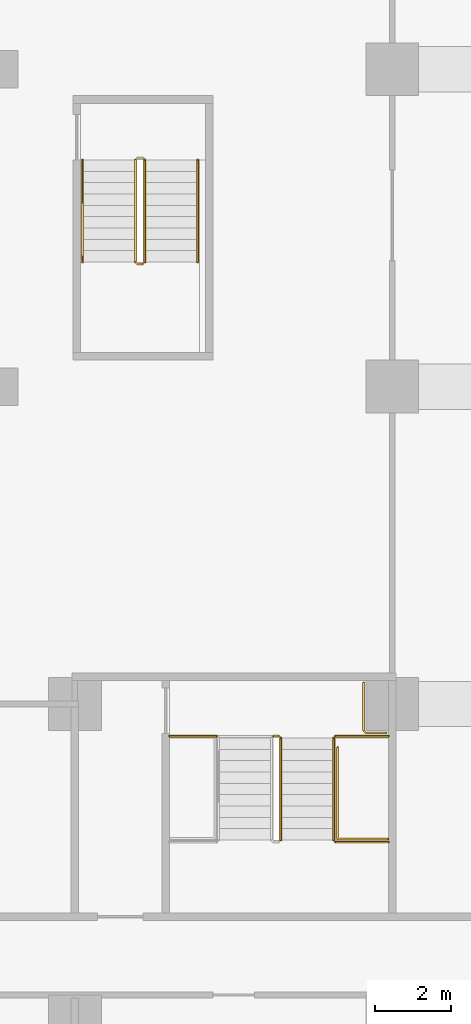
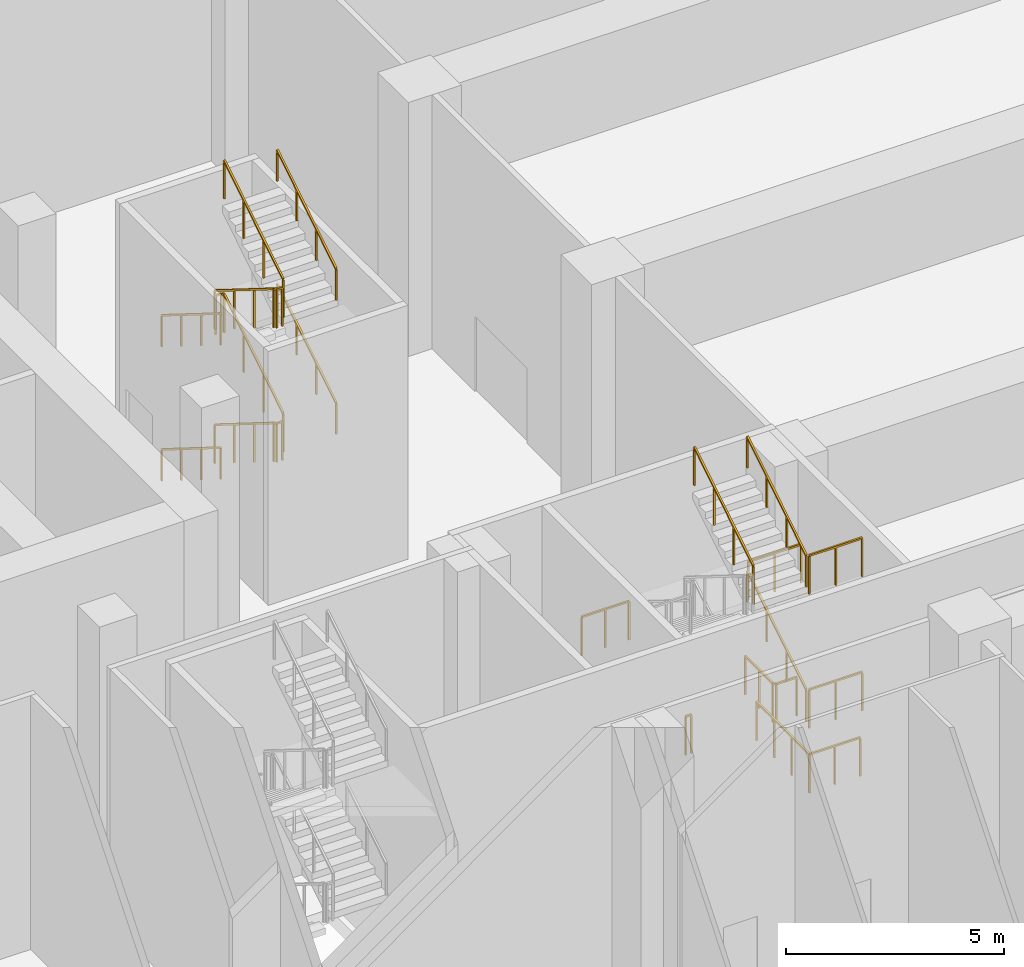
# One storey, part 21 of 29: 18 railings.
"""IFC4 building model written with IfcOpenShell, lengths in metres."""

import ifcopenshell
import ifcopenshell.guid

model = None  # the IFC model being written
_history = None  # IfcOwnerHistory: only IFC2X3 demands one
_inside = {}  # id of a spatial element -> (the spatial element, [elements in it])
_under = {}  # id of a project, library or spatial element -> (it, [spatial elements below it])
_declared = {}  # id of a project -> (the project, [libraries it declares])
_typed = {}  # id of a type object -> (the type object, [elements of that type])
_made_of = {}  # id of a material, layer set ... -> (it, [elements and type objects made of it])


def new_model(schema):
    """Start an empty IFC model of exactly this schema.

    Asked for "IFC4X3", IfcOpenShell would pick the latest addendum, in which some entities
    have other attributes; the version numbers below select the first issue.
    IFC2X3 requires an IfcOwnerHistory on every rooted entity: one is made here for all.
    """
    global model, _history
    if schema == "IFC4X3":
        model = ifcopenshell.file(schema_version=(4, 3, 0, 0))
    else:
        model = ifcopenshell.file(schema=schema)
    _inside.clear()
    _under.clear()
    _declared.clear()
    _typed.clear()
    _made_of.clear()
    _history = None
    if model.schema == "IFC2X3":
        org = make("IfcOrganization", Name="unknown")
        user = make(
            "IfcPersonAndOrganization",
            ThePerson=make("IfcPerson", FamilyName="unknown"),
            TheOrganization=org,
        )
        app = make(
            "IfcApplication",
            ApplicationDeveloper=org,
            Version="unknown",
            ApplicationFullName="unknown",
            ApplicationIdentifier="unknown",
        )
        _history = make(
            "IfcOwnerHistory",
            OwningUser=user,
            OwningApplication=app,
            ChangeAction="ADDED",
            CreationDate=0,
        )
    return model


def make(cls, **values):
    """One entity of the class cls with the attributes given. An attribute that is None is left unset."""
    return model.create_entity(
        cls, **{name: value for name, value in values.items() if value is not None}
    )


def rooted(cls, **values):
    """An entity with a GlobalId (a new one), such as an element, a storey or a relation."""
    return make(cls, GlobalId=ifcopenshell.guid.new(), OwnerHistory=_history, **values)


def si_unit(unit_type, name, prefix=None):
    """IfcSIUnit, for example si_unit("LENGTHUNIT", "METRE", prefix="MILLI")."""
    return make("IfcSIUnit", UnitType=unit_type, Prefix=prefix, Name=name)


def assignment(units):
    """IfcUnitAssignment: the units of a project."""
    return None if units is None else make("IfcUnitAssignment", Units=units)


def point(xyz):
    """IfcCartesianPoint."""
    return None if xyz is None else make("IfcCartesianPoint", Coordinates=xyz)


def direction(xyz):
    """IfcDirection."""
    return None if xyz is None else make("IfcDirection", DirectionRatios=xyz)


def frame(location, z_axis=None, x_axis=None):
    """IfcAxis2Placement3D, a coordinate frame: its origin and axes. An axis left out is left unset."""
    return make(
        "IfcAxis2Placement3D",
        Location=point(location),
        Axis=direction(z_axis),
        RefDirection=direction(x_axis),
    )


def frame_2d(location, x_axis=None):
    """IfcAxis2Placement2D, a coordinate frame in the plane: its origin and x axis."""
    return make(
        "IfcAxis2Placement2D", Location=point(location), RefDirection=direction(x_axis)
    )


def origin():
    """The frame at (0, 0, 0) with its axes left unset."""
    return frame((0.0, 0.0, 0.0))


def origin_2d():
    """The frame at (0, 0) in the plane with its x axis left unset."""
    return frame_2d((0.0, 0.0))


def place(relative_to, where):
    """IfcLocalPlacement: puts the frame where relative to a parent placement (None: the world)."""
    return make(
        "IfcLocalPlacement", PlacementRelTo=relative_to, RelativePlacement=where
    )


def context(
    kind, dimensions, precision=None, world=None, true_north=None, identifier=None
):
    """IfcGeometricRepresentationContext, for example the 3D "Model" context."""
    return make(
        "IfcGeometricRepresentationContext",
        ContextIdentifier=identifier,
        ContextType=kind,
        CoordinateSpaceDimension=dimensions,
        Precision=precision,
        WorldCoordinateSystem=world,
        TrueNorth=true_north,
    )


def subcontext(parent, identifier, kind, view, scale=None):
    """IfcGeometricRepresentationSubContext, for example "Body" below "Model"."""
    return make(
        "IfcGeometricRepresentationSubContext",
        ContextIdentifier=identifier,
        ContextType=kind,
        ParentContext=parent,
        TargetScale=scale,
        TargetView=view,
    )


def project(units=None, contexts=None):
    """IfcProject with its units and contexts."""
    return rooted(
        "IfcProject",
        Name="project",
        RepresentationContexts=contexts,
        UnitsInContext=assignment(units),
    )


def spatial(cls, under=None, at=None, **own):
    """A site, building, storey or space (cls), placed at a placement, below another one or the project."""
    s = rooted(cls, ObjectPlacement=at, **own)
    if under is not None:
        _under.setdefault(under.id(), (under, []))[1].append(s)
    return s


def profile(cls, at=None, kind="AREA", **sizes):
    """A parametric profile (cls). Its sizes go by their IFC names, for example OverallWidth=200.0."""
    return make(cls, ProfileType=kind, Position=at, **sizes)


def rectangle(**sizes):
    """IfcRectangleProfileDef."""
    return profile("IfcRectangleProfileDef", **sizes)


def extrude(swept, where, along, depth):
    """IfcExtrudedAreaSolid: the profile swept, set in the frame where, extruded along a direction by depth."""
    return make(
        "IfcExtrudedAreaSolid",
        SweptArea=swept,
        Position=where,
        ExtrudedDirection=direction(along),
        Depth=depth,
    )


def shape(context_of_items, identifier, shape_type, items):
    """IfcShapeRepresentation: the items that make up one representation, for example the "Body"."""
    return make(
        "IfcShapeRepresentation",
        ContextOfItems=context_of_items,
        RepresentationIdentifier=identifier,
        RepresentationType=shape_type,
        Items=items,
    )


def material(Name=None, Category=None):
    """IfcMaterial."""
    return make("IfcMaterial", Name=Name, Category=Category)


def made_of(thing, what):
    """Note that an element or type object is made of a material, layer set ...; save() writes the relation."""
    if what is not None:
        _made_of.setdefault(what.id(), (what, []))[1].append(thing)
    return thing


def type_object(cls, material=None, **own):
    """A type object (cls), such as IfcWallType, which elements share."""
    return made_of(rooted(cls, **own), material)


def element(
    cls,
    number,
    at=None,
    inside=None,
    cuts=None,
    type_object=None,
    material=None,
    context=None,
    identifier="Body",
    shape_type=None,
    held_by="IfcProductDefinitionShape",
    body=None,
    shapes=None,
    **own,
):
    """One element of the class cls, such as IfcWall. Its Tag is "e" and its number.

    at: its placement. inside: the storey or other place that contains it. cuts: it is an
    opening in that element (IfcRelVoidsElement). A single representation is given by context,
    identifier, shape_type and body (its items); several are given by shapes. held_by: the class
    of the entity that holds the representations. save() writes the other relations.
    """
    e = rooted(cls, Tag="e%d" % number, ObjectPlacement=at, **own)
    if body is not None:
        shapes = [shape(context, identifier, shape_type, body)]
    if shapes is not None:
        e.Representation = make(held_by, Representations=shapes)
    if inside is not None:
        _inside.setdefault(inside.id(), (inside, []))[1].append(e)
    if cuts is not None:
        rooted(
            "IfcRelVoidsElement", RelatingBuildingElement=cuts, RelatedOpeningElement=e
        )
    if type_object is not None:
        _typed.setdefault(type_object.id(), (type_object, []))[1].append(e)
    return made_of(e, material)


def aggregate(whole, parts):
    """IfcRelAggregates: a whole, such as a stair, and the parts it consists of."""
    return rooted("IfcRelAggregates", RelatingObject=whole, RelatedObjects=parts)


def save(model, path):
    """Write the relations noted so far, then the file.

    IfcRelAggregates (storeys below a building ...), IfcRelContainedInSpatialStructure (elements
    in a storey), IfcRelDefinesByType, IfcRelAssociatesMaterial and IfcRelDeclares: one each for
    every whole, place, type object, material and project.
    """
    for whole, parts in _under.values():
        aggregate(whole, parts)
    for where, things in _inside.values():
        rooted(
            "IfcRelContainedInSpatialStructure",
            RelatedElements=things,
            RelatingStructure=where,
        )
    for kind, things in _typed.values():
        rooted("IfcRelDefinesByType", RelatedObjects=things, RelatingType=kind)
    for what, things in _made_of.values():
        rooted("IfcRelAssociatesMaterial", RelatedObjects=things, RelatingMaterial=what)
    for by, libraries in _declared.values():
        rooted("IfcRelDeclares", RelatingContext=by, RelatedDefinitions=libraries)
    model.write(path)


model = new_model("IFC4")

# Units and contexts
model_context = context("Model", 3, precision=1e-05, world=origin(), true_north=direction((0.0, 1.0)))
body_context = subcontext(model_context, "Body", "Model", "MODEL_VIEW")
ifc_project = project(units=[si_unit("LENGTHUNIT", "METRE"), si_unit("AREAUNIT", "SQUARE_METRE"), si_unit("VOLUMEUNIT", "CUBIC_METRE"), si_unit("PLANEANGLEUNIT", "RADIAN"), si_unit("MASSUNIT", "GRAM", prefix="KILO")], contexts=[model_context])

# Site, building, storey
site_placement = place(None, origin())
site = spatial("IfcSite", under=ifc_project, at=site_placement, CompositionType="ELEMENT")
building_placement = place(site_placement, origin())
building = spatial("IfcBuilding", under=site, at=building_placement, Name="Vermilion Ogive Tower", CompositionType="ELEMENT")
storey_placement = place(building_placement, frame((0.0, 0.0, 12.5)))
storey = spatial("IfcBuildingStorey", under=building, at=storey_placement, Name="L02", CompositionType="ELEMENT", Elevation=12.5)

# Railings
ifc_material_1 = material(Name="Steel S355 painted", Category="steel")
railing_type_1 = type_object("IfcRailingType", Name="Stair guard 1100", PredefinedType="GUARDRAIL", material=ifc_material_1)
railing_1_placement = place(storey_placement, frame((18.39990234375, 1.800048828125, 0.1875)))
element("IfcRailing", 1, at=railing_1_placement, inside=storey, type_object=railing_type_1, Name="L02 ST8 stair guard 1", PredefinedType="GUARDRAIL", context=body_context, shape_type="SweptSolid", body=[
    extrude(rectangle(XDim=0.048095703125, YDim=0.048095703125, at=origin_2d()), frame((0.0, 0.0, 1.076171875), z_axis=(0.0, -0.847993996163, 0.530005832488), x_axis=(1.0, 0.0, 0.0)), (0.0, 0.0, 1.0), 3.183837890625),
    extrude(rectangle(XDim=0.048095703125, YDim=0.048095703125, at=origin_2d()), frame((0.0, -2.699951171875, 2.763671875), z_axis=(0.707106781187, -0.707106781187, 0.0), x_axis=(0.707106781187, 0.707106781187, 0.0)), (0.0, 0.0, 1.0), 0.07080078125),
    extrude(rectangle(XDim=0.048095703125, YDim=0.048095703125, at=origin_2d()), frame((0.050048828125, -2.75, 2.763671875), z_axis=(1.0, 0.0, 0.0), x_axis=(0.0, 1.0, 0.0)), (0.0, 0.0, 1.0), 0.150146484375),
    extrude(rectangle(XDim=0.0419921875, YDim=0.0419921875, at=origin_2d()), origin(), (0.0, 0.0, 1.0), 1.052001953125),
    extrude(rectangle(XDim=0.0419921875, YDim=0.0419921875, at=origin_2d()), frame((0.0, -0.89990234375, 0.5625)), (0.0, 0.0, 1.0), 1.052001953125),
    extrude(rectangle(XDim=0.0419921875, YDim=0.0419921875, at=origin_2d()), frame((0.0, -1.800048828125, 1.125)), (0.0, 0.0, 1.0), 1.052001953125),
    extrude(rectangle(XDim=0.0419921875, YDim=0.0419921875, at=origin_2d()), frame((0.0, -2.699951171875, 1.6875)), (0.0, 0.0, 1.0), 1.052001953125),
    extrude(rectangle(XDim=0.0419921875, YDim=0.0419921875, at=origin_2d()), frame((0.050048828125, -2.75, 1.6875)), (0.0, 0.0, 1.0), 1.052001953125),
    extrude(rectangle(XDim=0.0419921875, YDim=0.0419921875, at=origin_2d()), frame((0.2001953125, -2.75, 1.6875)), (0.0, 0.0, 1.0), 1.052001953125),
])
railing_2_placement = place(storey_placement, frame((18.64990234375, -0.89990234375, 2.0625)))
element("IfcRailing", 2, at=railing_2_placement, inside=storey, type_object=railing_type_1, Name="L02 ST8 stair guard 3", PredefinedType="GUARDRAIL", context=body_context, shape_type="SweptSolid", body=[
    extrude(rectangle(XDim=0.048095703125, YDim=0.048095703125, at=origin_2d()), frame((0.0, 0.0, 1.076171875), z_axis=(0.0, 0.847993996163, 0.530005832488), x_axis=(-1.0, 0.0, 0.0)), (0.0, 0.0, 1.0), 3.183837890625),
    extrude(rectangle(XDim=0.048095703125, YDim=0.048095703125, at=origin_2d()), frame((0.0, 2.699951171875, 2.763671875), z_axis=(-0.705375805398, 0.708833529934, 0.0), x_axis=(-0.708833529934, -0.705375805398, 0.0)), (0.0, 0.0, 1.0), 0.070556640625),
    extrude(rectangle(XDim=0.048095703125, YDim=0.048095703125, at=origin_2d()), frame((-0.0498046875, 2.75, 2.763671875), z_axis=(-1.0, 0.0, 0.0), x_axis=(0.0, -1.0, 0.0)), (0.0, 0.0, 1.0), 0.150146484375),
    extrude(rectangle(XDim=0.0419921875, YDim=0.0419921875, at=origin_2d()), origin(), (0.0, 0.0, 1.0), 1.052001953125),
    extrude(rectangle(XDim=0.0419921875, YDim=0.0419921875, at=origin_2d()), frame((0.0, 0.89990234375, 0.5625)), (0.0, 0.0, 1.0), 1.052001953125),
    extrude(rectangle(XDim=0.0419921875, YDim=0.0419921875, at=origin_2d()), frame((0.0, 1.800048828125, 1.125)), (0.0, 0.0, 1.0), 1.052001953125),
    extrude(rectangle(XDim=0.0419921875, YDim=0.0419921875, at=origin_2d()), frame((0.0, 2.699951171875, 1.6875)), (0.0, 0.0, 1.0), 1.052001953125),
    extrude(rectangle(XDim=0.0419921875, YDim=0.0419921875, at=origin_2d()), frame((-0.0498046875, 2.75, 1.6875)), (0.0, 0.0, 1.0), 1.052001953125),
    extrude(rectangle(XDim=0.0419921875, YDim=0.0419921875, at=origin_2d()), frame((-0.199951171875, 2.75, 1.6875)), (0.0, 0.0, 1.0), 1.052001953125),
])
railing_3_placement = place(storey_placement, frame((18.39990234375, 1.800048828125, 3.9375)))
element("IfcRailing", 3, at=railing_3_placement, inside=storey, type_object=railing_type_1, Name="L02 ST8 stair guard 5", PredefinedType="GUARDRAIL", context=body_context, shape_type="SweptSolid", body=[
    extrude(rectangle(XDim=0.048095703125, YDim=0.048095703125, at=origin_2d()), frame((0.0, 0.0, 1.076171875), z_axis=(0.0, -0.847993996163, 0.530005832488), x_axis=(1.0, 0.0, 0.0)), (0.0, 0.0, 1.0), 3.183837890625),
    extrude(rectangle(XDim=0.048095703125, YDim=0.048095703125, at=origin_2d()), frame((0.0, -2.699951171875, 2.763671875), z_axis=(0.707106781187, -0.707106781187, 0.0), x_axis=(0.707106781187, 0.707106781187, 0.0)), (0.0, 0.0, 1.0), 0.07080078125),
    extrude(rectangle(XDim=0.048095703125, YDim=0.048095703125, at=origin_2d()), frame((0.050048828125, -2.75, 2.763671875), z_axis=(1.0, 0.0, 0.0), x_axis=(0.0, 1.0, 0.0)), (0.0, 0.0, 1.0), 0.150146484375),
    extrude(rectangle(XDim=0.0419921875, YDim=0.0419921875, at=origin_2d()), origin(), (0.0, 0.0, 1.0), 1.052001953125),
    extrude(rectangle(XDim=0.0419921875, YDim=0.0419921875, at=origin_2d()), frame((0.0, -0.89990234375, 0.5625)), (0.0, 0.0, 1.0), 1.052001953125),
    extrude(rectangle(XDim=0.0419921875, YDim=0.0419921875, at=origin_2d()), frame((0.0, -1.800048828125, 1.125)), (0.0, 0.0, 1.0), 1.052001953125),
    extrude(rectangle(XDim=0.0419921875, YDim=0.0419921875, at=origin_2d()), frame((0.0, -2.699951171875, 1.6875)), (0.0, 0.0, 1.0), 1.052001953125),
    extrude(rectangle(XDim=0.0419921875, YDim=0.0419921875, at=origin_2d()), frame((0.050048828125, -2.75, 1.6875)), (0.0, 0.0, 1.0), 1.052001953125),
    extrude(rectangle(XDim=0.0419921875, YDim=0.0419921875, at=origin_2d()), frame((0.2001953125, -2.75, 1.6875)), (0.0, 0.0, 1.0), 1.052001953125),
])
for number, where, name in (
    (4, (18.64990234375, -0.89990234375, 5.8125), "L02 ST8 stair guard 7"),
    (5, (22.25, -16.199951171875, 5.8125), "L02 PS3 stair guard 7"),
):
    element("IfcRailing", number, at=place(storey_placement, frame(where)), inside=storey, type_object=railing_type_1, Name=name, PredefinedType="GUARDRAIL", context=body_context, shape_type="SweptSolid", body=[
        extrude(rectangle(XDim=0.048095703125, YDim=0.048095703125, at=origin_2d()), frame((0.0, 0.0, 1.076171875), z_axis=(0.0, 0.847993996163, 0.530005832488), x_axis=(-1.0, 0.0, 0.0)), (0.0, 0.0, 1.0), 3.183837890625),
        extrude(rectangle(XDim=0.0419921875, YDim=0.0419921875, at=origin_2d()), origin(), (0.0, 0.0, 1.0), 1.052001953125),
        extrude(rectangle(XDim=0.0419921875, YDim=0.0419921875, at=origin_2d()), frame((0.0, 0.89990234375, 0.5625)), (0.0, 0.0, 1.0), 1.052001953125),
        extrude(rectangle(XDim=0.0419921875, YDim=0.0419921875, at=origin_2d()), frame((0.0, 1.800048828125, 1.125)), (0.0, 0.0, 1.0), 1.052001953125),
        extrude(rectangle(XDim=0.0419921875, YDim=0.0419921875, at=origin_2d()), frame((0.0, 2.699951171875, 1.6875)), (0.0, 0.0, 1.0), 1.052001953125),
    ])
railing_4_placement = place(storey_placement, frame((22.050048828125, -13.449951171875, 0.0)))
element("IfcRailing", 6, at=railing_4_placement, inside=storey, type_object=railing_type_1, Name="L02 PS3 stair guard 8", PredefinedType="GUARDRAIL", context=body_context, shape_type="SweptSolid", body=[
    extrude(rectangle(XDim=0.048095703125, YDim=0.048095703125, at=origin_2d()), frame((0.0, 0.0, 1.076171875), z_axis=(1.0, 0.0, 0.0), x_axis=(0.0, 1.0, 0.0)), (0.0, 0.0, 1.0), 0.14990234375),
    extrude(rectangle(XDim=0.0419921875, YDim=0.0419921875, at=origin_2d()), origin(), (0.0, 0.0, 1.0), 1.052001953125),
    extrude(rectangle(XDim=0.0419921875, YDim=0.0419921875, at=origin_2d()), frame((0.14990234375, 0.0, 0.0)), (0.0, 0.0, 1.0), 1.052001953125),
])
railing_5_placement = place(storey_placement, frame((23.699951171875, -16.25, 1.875)))
element("IfcRailing", 7, at=railing_5_placement, inside=storey, type_object=railing_type_1, Name="L02 landing guard", PredefinedType="GUARDRAIL", context=body_context, shape_type="SweptSolid", body=[
    extrude(rectangle(XDim=0.048095703125, YDim=0.048095703125, at=origin_2d()), frame((0.0, 0.0, 1.076171875), z_axis=(1.0, 0.0, 0.0), x_axis=(0.0, 1.0, 0.0)), (0.0, 0.0, 1.0), 1.39990234375),
    extrude(rectangle(XDim=0.0419921875, YDim=0.0419921875, at=origin_2d()), origin(), (0.0, 0.0, 1.0), 1.052001953125),
    extrude(rectangle(XDim=0.0419921875, YDim=0.0419921875, at=origin_2d()), frame((0.699951171875, 0.0, 0.0)), (0.0, 0.0, 1.0), 1.052001953125),
    extrude(rectangle(XDim=0.0419921875, YDim=0.0419921875, at=origin_2d()), frame((1.39990234375, 0.0, 0.0)), (0.0, 0.0, 1.0), 1.052001953125),
])
railing_6_placement = place(storey_placement, frame((19.300048828125, -13.449951171875, 3.75)))
element("IfcRailing", 8, at=railing_6_placement, inside=storey, type_object=railing_type_1, Name="L02 landing guard", PredefinedType="GUARDRAIL", context=body_context, shape_type="SweptSolid", body=[
    extrude(rectangle(XDim=0.048095703125, YDim=0.048095703125, at=origin_2d()), frame((0.0, 0.0, 1.076171875), z_axis=(1.0, 0.0, 0.0), x_axis=(0.0, 1.0, 0.0)), (0.0, 0.0, 1.0), 1.25),
    extrude(rectangle(XDim=0.0419921875, YDim=0.0419921875, at=origin_2d()), origin(), (0.0, 0.0, 1.0), 1.052001953125),
    extrude(rectangle(XDim=0.0419921875, YDim=0.0419921875, at=origin_2d()), frame((0.625, 0.0, 0.0)), (0.0, 0.0, 1.0), 1.052001953125),
    extrude(rectangle(XDim=0.0419921875, YDim=0.0419921875, at=origin_2d()), frame((1.25, 0.0, 0.0)), (0.0, 0.0, 1.0), 1.052001953125),
])
for number, where, name in (
    (9, (23.699951171875, -13.449951171875, 3.75), "L02 landing guard"),
    (10, (23.699951171875, -16.25, 5.625), "L02 landing guard"),
):
    element("IfcRailing", number, at=place(storey_placement, frame(where)), inside=storey, type_object=railing_type_1, Name=name, PredefinedType="GUARDRAIL", context=body_context, shape_type="SweptSolid", body=[
        extrude(rectangle(XDim=0.048095703125, YDim=0.048095703125, at=origin_2d()), frame((0.0, 0.0, 1.076171875), z_axis=(1.0, 0.0, 0.0), x_axis=(0.0, 1.0, 0.0)), (0.0, 0.0, 1.0), 1.39990234375),
        extrude(rectangle(XDim=0.0419921875, YDim=0.0419921875, at=origin_2d()), origin(), (0.0, 0.0, 1.0), 1.052001953125),
        extrude(rectangle(XDim=0.0419921875, YDim=0.0419921875, at=origin_2d()), frame((0.699951171875, 0.0, 0.0)), (0.0, 0.0, 1.0), 1.052001953125),
        extrude(rectangle(XDim=0.0419921875, YDim=0.0419921875, at=origin_2d()), frame((1.39990234375, 0.0, 0.0)), (0.0, 0.0, 1.0), 1.052001953125),
    ])
railing_7_placement = place(storey_placement, frame((23.75244140625, -13.746826171875, 0.0)))
element("IfcRailing", 11, at=railing_7_placement, inside=storey, type_object=railing_type_1, Name="L02 stair opening guard", PredefinedType="GUARDRAIL", context=body_context, shape_type="SweptSolid", body=[
    extrude(rectangle(XDim=0.048095703125, YDim=0.048095703125, at=origin_2d()), frame((0.0, 0.0, 1.076171875), z_axis=(0.0, -1.0, 0.0), x_axis=(1.0, 0.0, 0.0)), (0.0, 0.0, 1.0), 2.424072265625),
    extrude(rectangle(XDim=0.048095703125, YDim=0.048095703125, at=origin_2d()), frame((0.0, -2.424072265625, 1.076171875), z_axis=(1.0, 0.0, 0.0), x_axis=(0.0, 1.0, 0.0)), (0.0, 0.0, 1.0), 1.340087890625),
    extrude(rectangle(XDim=0.0419921875, YDim=0.0419921875, at=origin_2d()), origin(), (0.0, 0.0, 1.0), 1.052001953125),
    extrude(rectangle(XDim=0.0419921875, YDim=0.0419921875, at=origin_2d()), frame((0.0, -0.80810546875, 0.0)), (0.0, 0.0, 1.0), 1.052001953125),
    extrude(rectangle(XDim=0.0419921875, YDim=0.0419921875, at=origin_2d()), frame((0.0, -1.615966796875, 0.0)), (0.0, 0.0, 1.0), 1.052001953125),
    extrude(rectangle(XDim=0.0419921875, YDim=0.0419921875, at=origin_2d()), frame((0.0, -2.424072265625, 0.0)), (0.0, 0.0, 1.0), 1.052001953125),
    extrude(rectangle(XDim=0.0419921875, YDim=0.0419921875, at=origin_2d()), frame((0.669921875, -2.424072265625, 0.0)), (0.0, 0.0, 1.0), 1.052001953125),
    extrude(rectangle(XDim=0.0419921875, YDim=0.0419921875, at=origin_2d()), frame((1.340087890625, -2.424072265625, 0.0)), (0.0, 0.0, 1.0), 1.052001953125),
])
railing_8_placement = place(storey_placement, frame((24.43994140625, -12.034912109375, 0.0)))
element("IfcRailing", 12, at=railing_8_placement, inside=storey, type_object=railing_type_1, Name="L02 stair opening guard", PredefinedType="GUARDRAIL", context=body_context, shape_type="SweptSolid", body=[
    extrude(rectangle(XDim=0.048095703125, YDim=0.048095703125, at=origin_2d()), frame((0.0, 0.0, 1.076171875), z_axis=(0.0, -1.0, 0.0), x_axis=(1.0, 0.0, 0.0)), (0.0, 0.0, 1.0), 1.26513671875),
    extrude(rectangle(XDim=0.048095703125, YDim=0.048095703125, at=origin_2d()), frame((0.0, -1.26513671875, 1.076171875), z_axis=(0.707106781187, -0.707106781187, 0.0), x_axis=(0.707106781187, 0.707106781187, 0.0)), (0.0, 0.0, 1.0), 0.0849609375),
    extrude(rectangle(XDim=0.048095703125, YDim=0.048095703125, at=origin_2d()), frame((0.06005859375, -1.3251953125, 1.076171875), z_axis=(1.0, 0.0, 0.0), x_axis=(0.0, 1.0, 0.0)), (0.0, 0.0, 1.0), 0.5400390625),
    extrude(rectangle(XDim=0.0419921875, YDim=0.0419921875, at=origin_2d()), origin(), (0.0, 0.0, 1.0), 1.052001953125),
    extrude(rectangle(XDim=0.0419921875, YDim=0.0419921875, at=origin_2d()), frame((0.0, -0.632568359375, 0.0)), (0.0, 0.0, 1.0), 1.052001953125),
    extrude(rectangle(XDim=0.0419921875, YDim=0.0419921875, at=origin_2d()), frame((0.0, -1.26513671875, 0.0)), (0.0, 0.0, 1.0), 1.052001953125),
    extrude(rectangle(XDim=0.0419921875, YDim=0.0419921875, at=origin_2d()), frame((0.06005859375, -1.3251953125, 0.0)), (0.0, 0.0, 1.0), 1.052001953125),
    extrude(rectangle(XDim=0.0419921875, YDim=0.0419921875, at=origin_2d()), frame((0.60009765625, -1.3251953125, 0.0)), (0.0, 0.0, 1.0), 1.052001953125),
])
ifc_material_2 = material(Name="Stainless steel", Category="steel")
railing_type_2 = type_object("IfcRailingType", Name="Stair handrail 900", PredefinedType="HANDRAIL", material=ifc_material_2)
railing_9_placement = place(storey_placement, frame((17.0, 1.800048828125, 0.1875)))
element("IfcRailing", 13, at=railing_9_placement, inside=storey, type_object=railing_type_2, Name="L02 ST8 stair handrail 1", PredefinedType="HANDRAIL", context=body_context, shape_type="SweptSolid", body=[
    extrude(rectangle(XDim=0.048095703125, YDim=0.048095703125, at=origin_2d()), frame((0.0, 0.0, 0.8759765625), z_axis=(0.0, -0.847993996163, 0.530005832488), x_axis=(1.0, 0.0, 0.0)), (0.0, 0.0, 1.0), 3.183837890625),
    extrude(rectangle(XDim=0.0419921875, YDim=0.0419921875, at=origin_2d()), origin(), (0.0, 0.0, 1.0), 0.851806640625),
    extrude(rectangle(XDim=0.0419921875, YDim=0.0419921875, at=origin_2d()), frame((0.0, -0.89990234375, 0.5625)), (0.0, 0.0, 1.0), 0.851806640625),
    extrude(rectangle(XDim=0.0419921875, YDim=0.0419921875, at=origin_2d()), frame((0.0, -1.800048828125, 1.125)), (0.0, 0.0, 1.0), 0.851806640625),
    extrude(rectangle(XDim=0.0419921875, YDim=0.0419921875, at=origin_2d()), frame((0.0, -2.699951171875, 1.6875)), (0.0, 0.0, 1.0), 0.851806640625),
])
railing_10_placement = place(storey_placement, frame((20.050048828125, -0.89990234375, 2.0625)))
element("IfcRailing", 14, at=railing_10_placement, inside=storey, type_object=railing_type_2, Name="L02 ST8 stair handrail 2", PredefinedType="HANDRAIL", context=body_context, shape_type="SweptSolid", body=[
    extrude(rectangle(XDim=0.048095703125, YDim=0.048095703125, at=origin_2d()), frame((0.0, 0.0, 0.8759765625), z_axis=(0.0, 0.847993996163, 0.530005832488), x_axis=(-1.0, 0.0, 0.0)), (0.0, 0.0, 1.0), 3.183837890625),
    extrude(rectangle(XDim=0.0419921875, YDim=0.0419921875, at=origin_2d()), origin(), (0.0, 0.0, 1.0), 0.851806640625),
    extrude(rectangle(XDim=0.0419921875, YDim=0.0419921875, at=origin_2d()), frame((0.0, 0.89990234375, 0.5625)), (0.0, 0.0, 1.0), 0.851806640625),
    extrude(rectangle(XDim=0.0419921875, YDim=0.0419921875, at=origin_2d()), frame((0.0, 1.800048828125, 1.125)), (0.0, 0.0, 1.0), 0.851806640625),
    extrude(rectangle(XDim=0.0419921875, YDim=0.0419921875, at=origin_2d()), frame((0.0, 2.699951171875, 1.6875)), (0.0, 0.0, 1.0), 0.851806640625),
])
railing_11_placement = place(storey_placement, frame((17.0, 1.800048828125, 3.9375)))
element("IfcRailing", 15, at=railing_11_placement, inside=storey, type_object=railing_type_2, Name="L02 ST8 stair handrail 3", PredefinedType="HANDRAIL", context=body_context, shape_type="SweptSolid", body=[
    extrude(rectangle(XDim=0.048095703125, YDim=0.048095703125, at=origin_2d()), frame((0.0, 0.0, 0.8759765625), z_axis=(0.0, -0.847993996163, 0.530005832488), x_axis=(1.0, 0.0, 0.0)), (0.0, 0.0, 1.0), 3.183837890625),
    extrude(rectangle(XDim=0.0419921875, YDim=0.0419921875, at=origin_2d()), origin(), (0.0, 0.0, 1.0), 0.851806640625),
    extrude(rectangle(XDim=0.0419921875, YDim=0.0419921875, at=origin_2d()), frame((0.0, -0.89990234375, 0.5625)), (0.0, 0.0, 1.0), 0.851806640625),
    extrude(rectangle(XDim=0.0419921875, YDim=0.0419921875, at=origin_2d()), frame((0.0, -1.800048828125, 1.125)), (0.0, 0.0, 1.0), 0.851806640625),
    extrude(rectangle(XDim=0.0419921875, YDim=0.0419921875, at=origin_2d()), frame((0.0, -2.699951171875, 1.6875)), (0.0, 0.0, 1.0), 0.851806640625),
])
for number, where, name in (
    (16, (20.050048828125, -0.89990234375, 5.8125), "L02 ST8 stair handrail 4"),
    (17, (23.64990234375, -16.199951171875, 2.0625), "L02 PS3 stair handrail 2"),
    (18, (23.64990234375, -16.199951171875, 5.8125), "L02 PS3 stair handrail 4"),
):
    element("IfcRailing", number, at=place(storey_placement, frame(where)), inside=storey, type_object=railing_type_2, Name=name, PredefinedType="HANDRAIL", context=body_context, shape_type="SweptSolid", body=[
        extrude(rectangle(XDim=0.048095703125, YDim=0.048095703125, at=origin_2d()), frame((0.0, 0.0, 0.8759765625), z_axis=(0.0, 0.847993996163, 0.530005832488), x_axis=(-1.0, 0.0, 0.0)), (0.0, 0.0, 1.0), 3.183837890625),
        extrude(rectangle(XDim=0.0419921875, YDim=0.0419921875, at=origin_2d()), origin(), (0.0, 0.0, 1.0), 0.851806640625),
        extrude(rectangle(XDim=0.0419921875, YDim=0.0419921875, at=origin_2d()), frame((0.0, 0.89990234375, 0.5625)), (0.0, 0.0, 1.0), 0.851806640625),
        extrude(rectangle(XDim=0.0419921875, YDim=0.0419921875, at=origin_2d()), frame((0.0, 1.800048828125, 1.125)), (0.0, 0.0, 1.0), 0.851806640625),
        extrude(rectangle(XDim=0.0419921875, YDim=0.0419921875, at=origin_2d()), frame((0.0, 2.699951171875, 1.6875)), (0.0, 0.0, 1.0), 0.851806640625),
    ])

save(model, "model.ifc")
